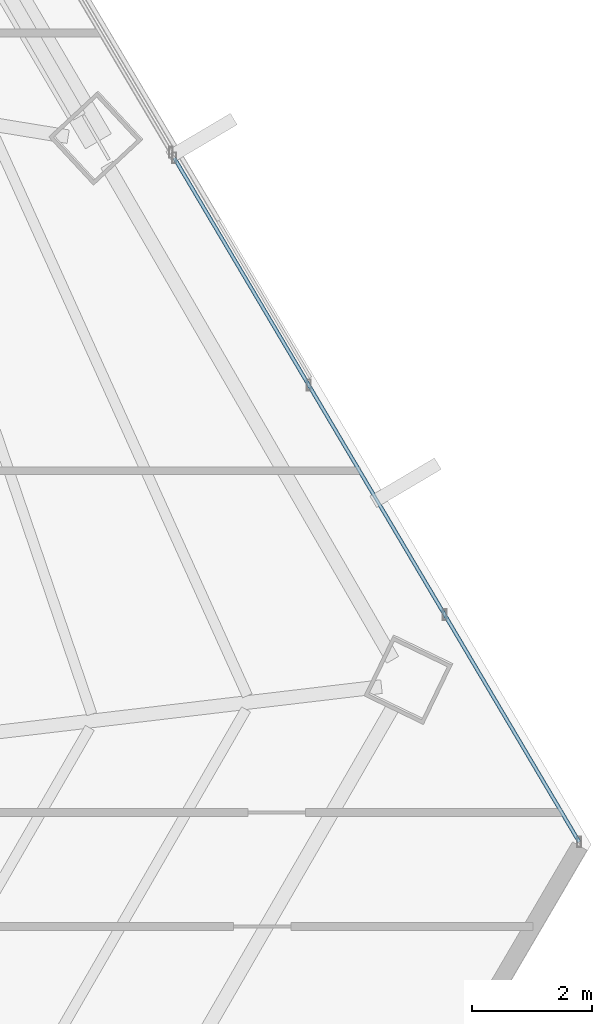
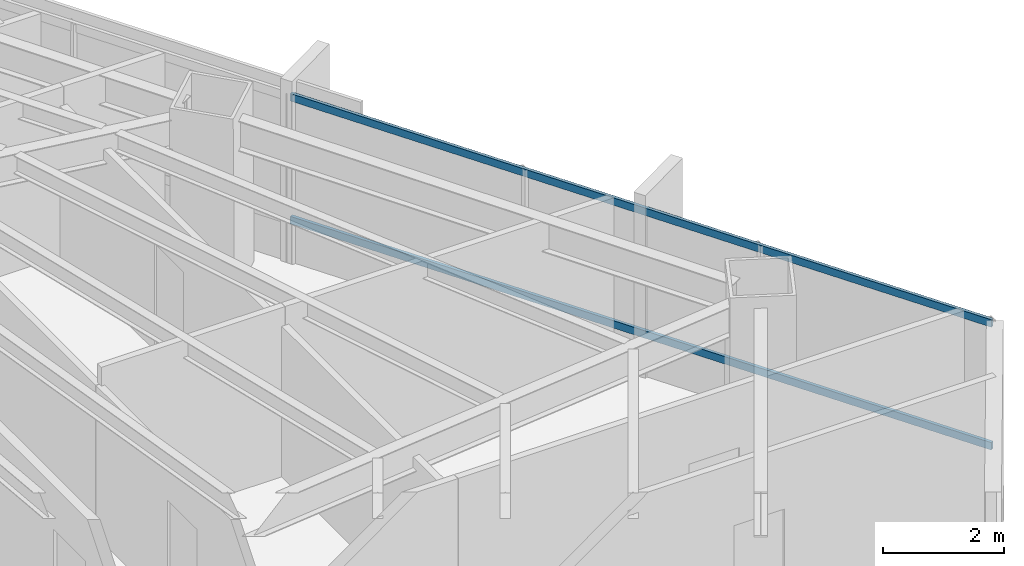
# One storey, part 23 of 37: 2 members, 1 element without a shape of its own.
"""IFC4 building model written with IfcOpenShell, lengths in metres."""

from ifc_helpers import new_model, si_unit, direction, frame, origin, origin_2d, place, context, subcontext, project, spatial, hollow_rectangle, extrude, source, transform, mapped, material, material_profile, profile_set, type_object, type_shapes, element, aggregate, save


model = new_model("IFC4")

# Units and contexts
model_context = context("Model", 3, precision=1e-05, world=origin(), true_north=direction((0.0, 1.0)))
body_context = subcontext(model_context, "Body", "Model", "MODEL_VIEW")
ifc_project = project(units=[si_unit("LENGTHUNIT", "METRE"), si_unit("AREAUNIT", "SQUARE_METRE"), si_unit("VOLUMEUNIT", "CUBIC_METRE"), si_unit("PLANEANGLEUNIT", "RADIAN"), si_unit("MASSUNIT", "GRAM", prefix="KILO")], contexts=[model_context])

# Site, building, storey
site_placement = place(None, origin())
site = spatial("IfcSite", under=ifc_project, at=site_placement, CompositionType="ELEMENT")
building_placement = place(site_placement, origin())
building = spatial("IfcBuilding", under=site, at=building_placement, Name="Caelisora Broadcast Tower", CompositionType="ELEMENT")
storey_placement = place(building_placement, frame((0.0, 0.0, 101.75)))
storey = spatial("IfcBuildingStorey", under=building, at=storey_placement, Name="L26", CompositionType="ELEMENT", Elevation=101.75)

# Curtain wall, members
ifc_material_1 = material(Name="Unitised Aluminium and Low-E Glass Curtain Wall", Category="glass")
curtain_wall_type = type_object("IfcCurtainWallType", Name="CW-Z2", PredefinedType="NOTDEFINED", material=ifc_material_1)
curtain_wall_placement = place(storey_placement, origin())
curtain_wall = element("IfcCurtainWall", 1, at=curtain_wall_placement, inside=storey, type_object=curtain_wall_type, Name="L26 curtain wall CW-Z2", PredefinedType="NOTDEFINED")
ifc_material_2 = material(Name="Aluminium 6063-T6 Anodised Terracotta Bronze", Category="aluminium")
ifc_material_profile = material_profile(ifc_material_2, hollow_rectangle(XDim=0.06005859375, YDim=0.14990234375, WallThickness=0.00341796875, at=origin_2d()), Name="Aluminium 6063-T6 Anodised Terracotta Bronze")
ifc_profile_set = profile_set([ifc_material_profile], Name="Aluminium 6063-T6 Anodised Terracotta Bronze")
member_type = type_object("IfcMemberType", Name="CWT-02", PredefinedType="USERDEFINED", material=ifc_profile_set)
shared_shape = source(origin(), body_context, "Body", "SweptSolid", [
    extrude(hollow_rectangle(XDim=0.06005859375, YDim=0.14990234375, WallThickness=0.00341796875, at=origin_2d()), origin(), (0.0, 0.0, 1.0), 13.251220703125),
])
type_shapes(member_type, [shared_shape])
member_1_placement = place(storey_placement, frame((57.261962890625, 28.013916015625, 0.85009765625), z_axis=(0.509425592523, -0.860514709742, 0.0), x_axis=(0.860514709742, 0.509425592523, 0.0)))
member_1 = element("IfcMember", 2, at=member_1_placement, type_object=member_type, Name="L26-CW-B03 transom #1", ObjectType="TRANSOM", PredefinedType="USERDEFINED", context=body_context, shape_type="MappedRepresentation", body=[
    mapped(shared_shape, transform((0.0, 0.0, 0.0), scale=1.0)),
])
member_2_placement = place(storey_placement, frame((57.261962890625, 28.013916015625, 3.320068359375), z_axis=(0.509425592523, -0.860514709742, 0.0), x_axis=(0.860514709742, 0.509425592523, 0.0)))
member_2 = element("IfcMember", 3, at=member_2_placement, type_object=member_type, Name="L26-CW-B03 transom #2", ObjectType="TRANSOM", PredefinedType="USERDEFINED", context=body_context, shape_type="MappedRepresentation", body=[
    mapped(shared_shape, transform((0.0, 0.0, 0.0), scale=1.0)),
])
aggregate(curtain_wall, [member_1, member_2])

save(model, "model.ifc")
